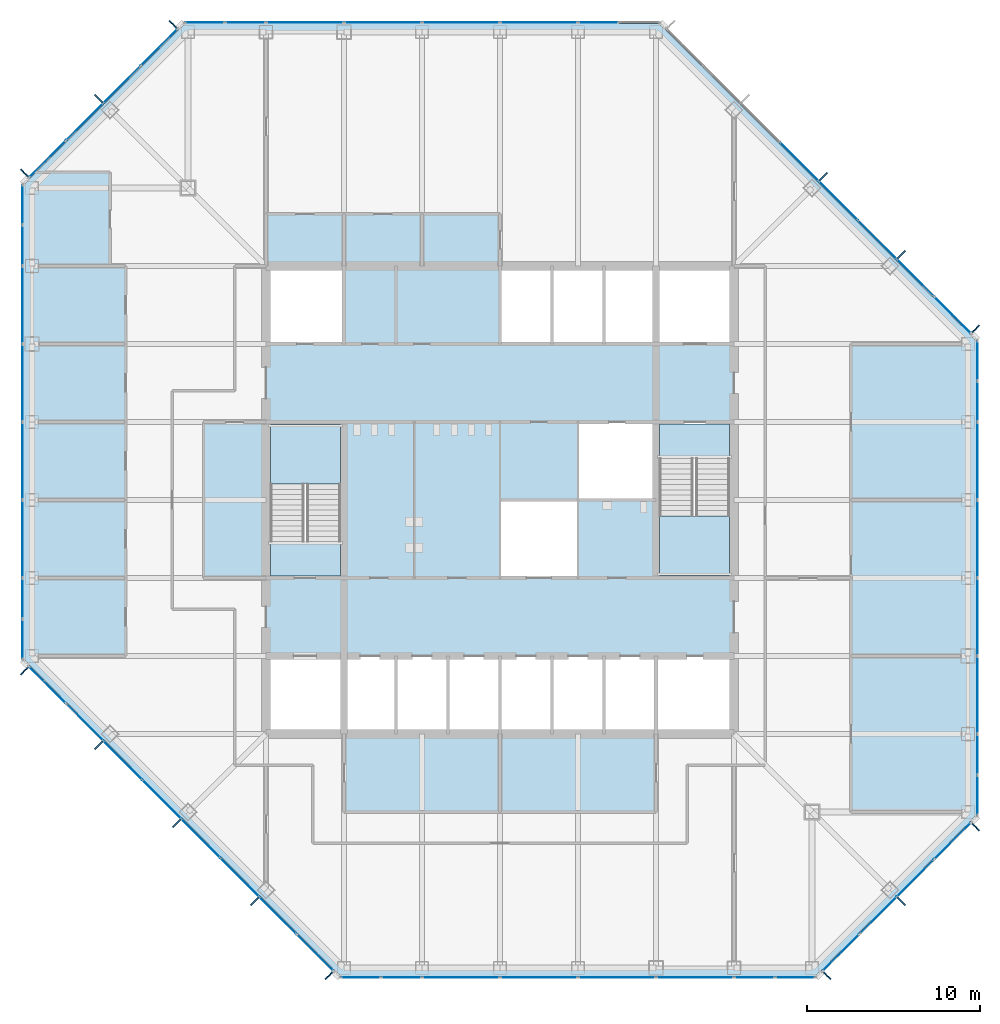
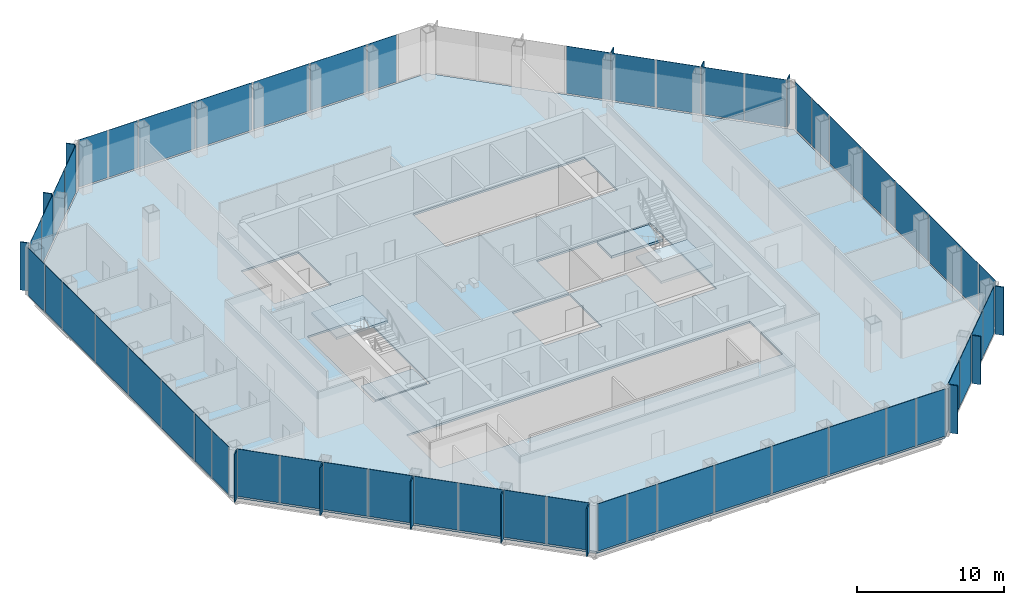
# One storey, part 7 of 13: 66 plates, 5 slabs, 10 elements without a shape of their own.
"""IFC4 building model written with IfcOpenShell, lengths in metres."""

from ifc_helpers import new_model, si_unit, direction, frame, origin, origin_2d, place, context, subcontext, project, spatial, polyline, rectangle, outline, extrude, material, layer, layer_set, type_object, element, aggregate, save


model = new_model("IFC4")

# Units and contexts
model_context = context("Model", 3, precision=1e-05, world=origin(), true_north=direction((0.0, 1.0)))
body_context = subcontext(model_context, "Body", "Model", "MODEL_VIEW")
ifc_project = project(units=[si_unit("LENGTHUNIT", "METRE"), si_unit("AREAUNIT", "SQUARE_METRE"), si_unit("VOLUMEUNIT", "CUBIC_METRE"), si_unit("PLANEANGLEUNIT", "RADIAN"), si_unit("MASSUNIT", "GRAM", prefix="KILO")], contexts=[model_context])

# Site, building, storey
site_placement = place(None, origin())
site = spatial("IfcSite", under=ifc_project, at=site_placement, CompositionType="ELEMENT")
building_placement = place(site_placement, origin())
building = spatial("IfcBuilding", under=site, at=building_placement, Name="Corais Broadcast Tower", CompositionType="ELEMENT")
storey_placement = place(building_placement, frame((0.0, 0.0, 151.60009765625)))
storey = spatial("IfcBuildingStorey", under=building, at=storey_placement, Name="L34", CompositionType="ELEMENT", Elevation=151.60009765625)

# Slab
ifc_material_1 = material(Name="Concrete C30/37", Category="concrete")
ifc_layer_1 = layer(ifc_material_1, 0.159912109375)
ifc_layer_set_1 = layer_set([ifc_layer_1], Name="Concrete C30/37")
slab_type_1 = type_object("IfcSlabType", Name="Composite floor slab 160", PredefinedType="FLOOR", material=ifc_layer_set_1)
slab_1_placement = place(storey_placement, frame((0.0, 0.0, -0.16015625)))
element("IfcSlab", 1, at=slab_1_placement, inside=storey, type_object=slab_type_1, Name="S160 floor slab L34", PredefinedType="FLOOR", context=body_context, shape_type="SweptSolid", body=[
    extrude(outline(polyline([(17.80126953125, -0.47998046875), (-0.47998046875, 17.80126953125), (-0.47998046875, 45.19873046875), (8.80126953125, 54.47998046875), (36.19873046875, 54.47998046875), (54.47998046875, 36.19873046875), (54.47998046875, 8.80126953125), (45.19873046875, -0.47998046875), (17.80126953125, -0.47998046875)]), holes=[polyline([(13.5, 18.0), (40.5, 18.0), (40.5, 13.5), (13.5, 13.5), (13.5, 18.0)]), polyline([(18.0, 22.5), (13.5, 22.5), (13.5, 31.5), (18.0, 31.5), (18.0, 22.5)]), polyline([(18.0, 36.0), (13.5, 36.0), (13.5, 40.5), (18.0, 40.5), (18.0, 36.0)]), polyline([(31.5, 22.5), (27.0, 22.5), (27.0, 27.0), (31.4951171875, 27.0), (31.4951171875, 27.0048828125), (31.5, 27.0048828125), (31.5, 31.5), (40.5, 31.5), (40.5, 22.5), (36.0, 22.5), (36.0, 27.0), (31.5048828125, 27.0), (31.5048828125, 26.9951171875), (31.5, 26.9951171875), (31.5, 22.5)]), polyline([(27.0, 40.5), (40.5, 40.5), (40.5, 36.0), (27.0, 36.0), (27.0, 40.5)])]), origin(), (0.0, 0.0, 1.0), 0.16015625),
])

# Curtain wall, plates
ifc_material_2 = material(Name="Aluminium and glass", Category="aluminium")
curtain_wall_type = type_object("IfcCurtainWallType", Name="Unitised fritted curtain wall CW2", PredefinedType="NOTDEFINED", material=ifc_material_2)
curtain_wall_1_placement = place(storey_placement, origin())
curtain_wall_1 = element("IfcCurtainWall", 2, at=curtain_wall_1_placement, inside=storey, type_object=curtain_wall_type, Name="CW2 curtain wall L34 1", PredefinedType="NOTDEFINED")
ifc_material_3 = material(Name="Ceramic-fritted laminated glass", Category="glass")
ifc_layer_2 = layer(ifc_material_3, 0.028076171875)
ifc_layer_set_2 = layer_set([ifc_layer_2], Name="Ceramic-fritted laminated glass")
plate_type_1 = type_object("IfcPlateType", Name="Fritted glass panel CW2", PredefinedType="CURTAIN_PANEL", material=ifc_layer_set_2)
plate_1_placement = place(storey_placement, frame((16.330322265625, 0.891845703125, 0.06494140625), z_axis=(0.0, 0.0, 1.0), x_axis=(-0.707106781187, 0.707106781187, 0.0)))
plate_1 = element("IfcPlate", 3, at=plate_1_placement, type_object=plate_type_1, Name="CW2 panel 1", PredefinedType="CURTAIN_PANEL", context=body_context, shape_type="SweptSolid", body=[
    extrude(rectangle(XDim=2.9482421875, YDim=0.028076171875, at=origin_2d()), origin(), (0.0, 0.0, 1.0), 3.93505859375),
])
plate_2_placement = place(storey_placement, frame((11.986083984375, 5.236083984375, 0.06494140625), z_axis=(0.0, 0.0, 1.0), x_axis=(-0.707106781187, 0.707106781187, 0.0)))
plate_2 = element("IfcPlate", 4, at=plate_2_placement, type_object=plate_type_1, Name="CW2 panel 3", PredefinedType="CURTAIN_PANEL", context=body_context, shape_type="SweptSolid", body=[
    extrude(rectangle(XDim=3.116943359375, YDim=0.028076171875, at=origin_2d()), origin(), (0.0, 0.0, 1.0), 3.93505859375),
])
plate_3_placement = place(storey_placement, frame((7.486083984375, 9.736083984375, 0.06494140625), z_axis=(0.0, 0.0, 1.0), x_axis=(-0.707106781187, 0.707106781187, 0.0)))
plate_3 = element("IfcPlate", 5, at=plate_3_placement, type_object=plate_type_1, Name="CW2 panel 5", PredefinedType="CURTAIN_PANEL", context=body_context, shape_type="SweptSolid", body=[
    extrude(rectangle(XDim=3.116943359375, YDim=0.028076171875, at=origin_2d()), origin(), (0.0, 0.0, 1.0), 3.93505859375),
])
plate_4_placement = place(storey_placement, frame((3.0341796875, 14.18798828125, 0.06494140625), z_axis=(0.0, 0.0, 1.0), x_axis=(-0.707106781187, 0.707106781187, 0.0)))
plate_4 = element("IfcPlate", 6, at=plate_4_placement, type_object=plate_type_1, Name="CW2 panel 7", PredefinedType="CURTAIN_PANEL", context=body_context, shape_type="SweptSolid", body=[
    extrude(rectangle(XDim=2.98095703125, YDim=0.028076171875, at=origin_2d()), origin(), (0.0, 0.0, 1.0), 3.93505859375),
])

curtain_wall_2_placement = place(storey_placement, origin())
curtain_wall_2 = element("IfcCurtainWall", 7, at=curtain_wall_2_placement, inside=storey, type_object=curtain_wall_type, Name="CW2 curtain wall L34 2", PredefinedType="NOTDEFINED")
plate_5_placement = place(storey_placement, frame((-0.550048828125, 18.970458984375, 0.06494140625), z_axis=(0.0, 0.0, 1.0), x_axis=(0.0, 1.0, 0.0)))
plate_5 = element("IfcPlate", 8, at=plate_5_placement, type_object=plate_type_1, Name="CW2 panel 1", PredefinedType="CURTAIN_PANEL", context=body_context, shape_type="SweptSolid", body=[
    extrude(rectangle(XDim=2.266357421875, YDim=0.028076171875, at=origin_2d()), origin(), (0.0, 0.0, 1.0), 3.93505859375),
])
plate_6_placement = place(storey_placement, frame((-0.550048828125, 24.75, 0.06494140625), z_axis=(0.0, 0.0, 1.0), x_axis=(0.0, 1.0, 0.0)))
plate_6 = element("IfcPlate", 9, at=plate_6_placement, type_object=plate_type_1, Name="CW2 panel 3", PredefinedType="CURTAIN_PANEL", context=body_context, shape_type="SweptSolid", body=[
    extrude(rectangle(XDim=4.43505859375, YDim=0.028076171875, at=origin_2d()), origin(), (0.0, 0.0, 1.0), 3.93505859375),
])
plate_7_placement = place(storey_placement, frame((-0.550048828125, 33.75, 0.06494140625), z_axis=(0.0, 0.0, 1.0), x_axis=(0.0, 1.0, 0.0)))
plate_7 = element("IfcPlate", 10, at=plate_7_placement, type_object=plate_type_1, Name="CW2 panel 5", PredefinedType="CURTAIN_PANEL", context=body_context, shape_type="SweptSolid", body=[
    extrude(rectangle(XDim=4.43505859375, YDim=0.028076171875, at=origin_2d()), origin(), (0.0, 0.0, 1.0), 3.93505859375),
])
plate_8_placement = place(storey_placement, frame((-0.550048828125, 41.681884765625, 0.06494140625), z_axis=(0.0, 0.0, 1.0), x_axis=(0.0, 1.0, 0.0)))
plate_8 = element("IfcPlate", 11, at=plate_8_placement, type_object=plate_type_1, Name="CW2 panel 7", PredefinedType="CURTAIN_PANEL", context=body_context, shape_type="SweptSolid", body=[
    extrude(rectangle(XDim=2.298828125, YDim=0.028076171875, at=origin_2d()), origin(), (0.0, 0.0, 1.0), 3.93505859375),
])

curtain_wall_3_placement = place(storey_placement, origin())
curtain_wall_3 = element("IfcCurtainWall", 12, at=curtain_wall_3_placement, inside=storey, type_object=curtain_wall_type, Name="CW2 curtain wall L34 3", PredefinedType="NOTDEFINED")
plate_9_placement = place(storey_placement, frame((0.891845703125, 46.669677734375, 0.06494140625), z_axis=(0.0, 0.0, 1.0), x_axis=(0.707106781187, 0.707106781187, 0.0)))
plate_9 = element("IfcPlate", 13, at=plate_9_placement, type_object=plate_type_1, Name="CW2 panel 1", PredefinedType="CURTAIN_PANEL", context=body_context, shape_type="SweptSolid", body=[
    extrude(rectangle(XDim=2.9482421875, YDim=0.028076171875, at=origin_2d()), origin(), (0.0, 0.0, 1.0), 3.93505859375),
])
plate_10_placement = place(storey_placement, frame((5.18798828125, 50.9658203125, 0.06494140625), z_axis=(0.0, 0.0, 1.0), x_axis=(0.707106781187, 0.707106781187, 0.0)))
plate_10 = element("IfcPlate", 14, at=plate_10_placement, type_object=plate_type_1, Name="CW2 panel 3", PredefinedType="CURTAIN_PANEL", context=body_context, shape_type="SweptSolid", body=[
    extrude(rectangle(XDim=2.98095703125, YDim=0.028076171875, at=origin_2d()), origin(), (0.0, 0.0, 1.0), 3.93505859375),
])

curtain_wall_4_placement = place(storey_placement, origin())
curtain_wall_4 = element("IfcCurtainWall", 15, at=curtain_wall_4_placement, inside=storey, type_object=curtain_wall_type, Name="CW2 curtain wall L34 4", PredefinedType="NOTDEFINED")
plate_11_placement = place(storey_placement, frame((9.970458984375, 54.550048828125, 0.06494140625), z_axis=(0.0, 0.0, 1.0), x_axis=(1.0, 0.0, 0.0)))
plate_11 = element("IfcPlate", 16, at=plate_11_placement, type_object=plate_type_1, Name="CW2 panel 1", PredefinedType="CURTAIN_PANEL", context=body_context, shape_type="SweptSolid", body=[
    extrude(rectangle(XDim=2.266357421875, YDim=0.028076171875, at=origin_2d()), origin(), (0.0, 0.0, 1.0), 3.93505859375),
])
plate_12_placement = place(storey_placement, frame((15.75, 54.550048828125, 0.06494140625), z_axis=(0.0, 0.0, 1.0), x_axis=(1.0, 0.0, 0.0)))
plate_12 = element("IfcPlate", 17, at=plate_12_placement, type_object=plate_type_1, Name="CW2 panel 3", PredefinedType="CURTAIN_PANEL", context=body_context, shape_type="SweptSolid", body=[
    extrude(rectangle(XDim=4.43505859375, YDim=0.028076171875, at=origin_2d()), origin(), (0.0, 0.0, 1.0), 3.93505859375),
])
plate_13_placement = place(storey_placement, frame((24.75, 54.550048828125, 0.06494140625), z_axis=(0.0, 0.0, 1.0), x_axis=(1.0, 0.0, 0.0)))
plate_13 = element("IfcPlate", 18, at=plate_13_placement, type_object=plate_type_1, Name="CW2 panel 5", PredefinedType="CURTAIN_PANEL", context=body_context, shape_type="SweptSolid", body=[
    extrude(rectangle(XDim=4.43505859375, YDim=0.028076171875, at=origin_2d()), origin(), (0.0, 0.0, 1.0), 3.93505859375),
])
plate_14_placement = place(storey_placement, frame((32.681884765625, 54.550048828125, 0.06494140625), z_axis=(0.0, 0.0, 1.0), x_axis=(1.0, 0.0, 0.0)))
plate_14 = element("IfcPlate", 19, at=plate_14_placement, type_object=plate_type_1, Name="CW2 panel 7", PredefinedType="CURTAIN_PANEL", context=body_context, shape_type="SweptSolid", body=[
    extrude(rectangle(XDim=2.298828125, YDim=0.028076171875, at=origin_2d()), origin(), (0.0, 0.0, 1.0), 3.93505859375),
])

curtain_wall_5_placement = place(storey_placement, origin())
curtain_wall_5 = element("IfcCurtainWall", 20, at=curtain_wall_5_placement, inside=storey, type_object=curtain_wall_type, Name="CW2 curtain wall L34 5", PredefinedType="NOTDEFINED")
plate_15_placement = place(storey_placement, frame((46.513916015625, 44.263916015625, 0.06494140625), z_axis=(0.0, 0.0, 1.0), x_axis=(0.707106781187, -0.707106781187, 0.0)))
plate_15 = element("IfcPlate", 21, at=plate_15_placement, type_object=plate_type_1, Name="CW2 panel 5", PredefinedType="CURTAIN_PANEL", context=body_context, shape_type="SweptSolid", body=[
    extrude(rectangle(XDim=3.116943359375, YDim=0.028076171875, at=origin_2d()), origin(), (0.0, 0.0, 1.0), 3.93505859375),
])
plate_16_placement = place(storey_placement, frame((50.9658203125, 39.81201171875, 0.06494140625), z_axis=(0.0, 0.0, 1.0), x_axis=(0.707106781187, -0.707106781187, 0.0)))
plate_16 = element("IfcPlate", 22, at=plate_16_placement, type_object=plate_type_1, Name="CW2 panel 7", PredefinedType="CURTAIN_PANEL", context=body_context, shape_type="SweptSolid", body=[
    extrude(rectangle(XDim=2.98095703125, YDim=0.028076171875, at=origin_2d()), origin(), (0.0, 0.0, 1.0), 3.93505859375),
])

curtain_wall_6_placement = place(storey_placement, origin())
curtain_wall_6 = element("IfcCurtainWall", 23, at=curtain_wall_6_placement, inside=storey, type_object=curtain_wall_type, Name="CW2 curtain wall L34 6", PredefinedType="NOTDEFINED")
plate_17_placement = place(storey_placement, frame((54.550048828125, 35.029541015625, 0.06494140625), z_axis=(0.0, 0.0, 1.0), x_axis=(0.0, -1.0, 0.0)))
plate_17 = element("IfcPlate", 24, at=plate_17_placement, type_object=plate_type_1, Name="CW2 panel 1", PredefinedType="CURTAIN_PANEL", context=body_context, shape_type="SweptSolid", body=[
    extrude(rectangle(XDim=2.266357421875, YDim=0.028076171875, at=origin_2d()), origin(), (0.0, 0.0, 1.0), 3.93505859375),
])
plate_18_placement = place(storey_placement, frame((54.550048828125, 29.25, 0.06494140625), z_axis=(0.0, 0.0, 1.0), x_axis=(0.0, -1.0, 0.0)))
plate_18 = element("IfcPlate", 25, at=plate_18_placement, type_object=plate_type_1, Name="CW2 panel 3", PredefinedType="CURTAIN_PANEL", context=body_context, shape_type="SweptSolid", body=[
    extrude(rectangle(XDim=4.43505859375, YDim=0.028076171875, at=origin_2d()), origin(), (0.0, 0.0, 1.0), 3.93505859375),
])
plate_19_placement = place(storey_placement, frame((54.550048828125, 20.25, 0.06494140625), z_axis=(0.0, 0.0, 1.0), x_axis=(0.0, -1.0, 0.0)))
plate_19 = element("IfcPlate", 26, at=plate_19_placement, type_object=plate_type_1, Name="CW2 panel 5", PredefinedType="CURTAIN_PANEL", context=body_context, shape_type="SweptSolid", body=[
    extrude(rectangle(XDim=4.43505859375, YDim=0.028076171875, at=origin_2d()), origin(), (0.0, 0.0, 1.0), 3.93505859375),
])
plate_20_placement = place(storey_placement, frame((54.550048828125, 12.318115234375, 0.06494140625), z_axis=(0.0, 0.0, 1.0), x_axis=(0.0, -1.0, 0.0)))
plate_20 = element("IfcPlate", 27, at=plate_20_placement, type_object=plate_type_1, Name="CW2 panel 7", PredefinedType="CURTAIN_PANEL", context=body_context, shape_type="SweptSolid", body=[
    extrude(rectangle(XDim=2.298828125, YDim=0.028076171875, at=origin_2d()), origin(), (0.0, 0.0, 1.0), 3.93505859375),
])

curtain_wall_7_placement = place(storey_placement, origin())
curtain_wall_7 = element("IfcCurtainWall", 28, at=curtain_wall_7_placement, inside=storey, type_object=curtain_wall_type, Name="CW2 curtain wall L34 7", PredefinedType="NOTDEFINED")
plate_21_placement = place(storey_placement, frame((53.108154296875, 7.330322265625, 0.06494140625), z_axis=(0.0, 0.0, 1.0), x_axis=(-0.707106781187, -0.707106781187, 0.0)))
plate_21 = element("IfcPlate", 29, at=plate_21_placement, type_object=plate_type_1, Name="CW2 panel 1", PredefinedType="CURTAIN_PANEL", context=body_context, shape_type="SweptSolid", body=[
    extrude(rectangle(XDim=2.9482421875, YDim=0.028076171875, at=origin_2d()), origin(), (0.0, 0.0, 1.0), 3.93505859375),
])
plate_22_placement = place(storey_placement, frame((48.81201171875, 3.0341796875, 0.06494140625), z_axis=(0.0, 0.0, 1.0), x_axis=(-0.707106781187, -0.707106781187, 0.0)))
plate_22 = element("IfcPlate", 30, at=plate_22_placement, type_object=plate_type_1, Name="CW2 panel 3", PredefinedType="CURTAIN_PANEL", context=body_context, shape_type="SweptSolid", body=[
    extrude(rectangle(XDim=2.98095703125, YDim=0.028076171875, at=origin_2d()), origin(), (0.0, 0.0, 1.0), 3.93505859375),
])

curtain_wall_8_placement = place(storey_placement, origin())
curtain_wall_8 = element("IfcCurtainWall", 31, at=curtain_wall_8_placement, inside=storey, type_object=curtain_wall_type, Name="CW2 curtain wall L34 8", PredefinedType="NOTDEFINED")
plate_23_placement = place(storey_placement, frame((44.029541015625, -0.550048828125, 0.06494140625), z_axis=(0.0, 0.0, 1.0), x_axis=(-1.0, 0.0, 0.0)))
plate_23 = element("IfcPlate", 32, at=plate_23_placement, type_object=plate_type_1, Name="CW2 panel 1", PredefinedType="CURTAIN_PANEL", context=body_context, shape_type="SweptSolid", body=[
    extrude(rectangle(XDim=2.266357421875, YDim=0.028076171875, at=origin_2d()), origin(), (0.0, 0.0, 1.0), 3.93505859375),
])
plate_24_placement = place(storey_placement, frame((38.25, -0.550048828125, 0.06494140625), z_axis=(0.0, 0.0, 1.0), x_axis=(-1.0, 0.0, 0.0)))
plate_24 = element("IfcPlate", 33, at=plate_24_placement, type_object=plate_type_1, Name="CW2 panel 3", PredefinedType="CURTAIN_PANEL", context=body_context, shape_type="SweptSolid", body=[
    extrude(rectangle(XDim=4.43505859375, YDim=0.028076171875, at=origin_2d()), origin(), (0.0, 0.0, 1.0), 3.93505859375),
])
plate_25_placement = place(storey_placement, frame((29.25, -0.550048828125, 0.06494140625), z_axis=(0.0, 0.0, 1.0), x_axis=(-1.0, 0.0, 0.0)))
plate_25 = element("IfcPlate", 34, at=plate_25_placement, type_object=plate_type_1, Name="CW2 panel 5", PredefinedType="CURTAIN_PANEL", context=body_context, shape_type="SweptSolid", body=[
    extrude(rectangle(XDim=4.43505859375, YDim=0.028076171875, at=origin_2d()), origin(), (0.0, 0.0, 1.0), 3.93505859375),
])
plate_26_placement = place(storey_placement, frame((21.318115234375, -0.550048828125, 0.06494140625), z_axis=(0.0, 0.0, 1.0), x_axis=(-1.0, 0.0, 0.0)))
plate_26 = element("IfcPlate", 35, at=plate_26_placement, type_object=plate_type_1, Name="CW2 panel 7", PredefinedType="CURTAIN_PANEL", context=body_context, shape_type="SweptSolid", body=[
    extrude(rectangle(XDim=2.298828125, YDim=0.028076171875, at=origin_2d()), origin(), (0.0, 0.0, 1.0), 3.93505859375),
])

# Plate
ifc_material_4 = material(Name="Clear laminated glass", Category="glass")
ifc_layer_3 = layer(ifc_material_4, 0.031982421875)
ifc_layer_set_3 = layer_set([ifc_layer_3], Name="Clear laminated glass")
plate_type_2 = type_object("IfcPlateType", Name="Operable glass panel CW2", PredefinedType="CURTAIN_PANEL", material=ifc_layer_set_3)
plate_27_placement = place(storey_placement, frame((14.18798828125, 3.0341796875, 0.06494140625), z_axis=(0.0, 0.0, 1.0), x_axis=(-0.707106781187, 0.707106781187, 0.0)))
plate_27 = element("IfcPlate", 36, at=plate_27_placement, type_object=plate_type_2, Name="CW2 operable panel 2", PredefinedType="CURTAIN_PANEL", context=body_context, shape_type="SweptSolid", body=[
    extrude(rectangle(XDim=2.98095703125, YDim=0.031982421875, at=origin_2d()), origin(), (0.0, 0.0, 1.0), 3.93505859375),
])

plate_28_placement = place(storey_placement, frame((9.736083984375, 7.486083984375, 0.06494140625), z_axis=(0.0, 0.0, 1.0), x_axis=(-0.707106781187, 0.707106781187, 0.0)))
plate_28 = element("IfcPlate", 37, at=plate_28_placement, type_object=plate_type_2, Name="CW2 operable panel 4", PredefinedType="CURTAIN_PANEL", context=body_context, shape_type="SweptSolid", body=[
    extrude(rectangle(XDim=3.116943359375, YDim=0.031982421875, at=origin_2d()), origin(), (0.0, 0.0, 1.0), 3.93505859375),
])

plate_29_placement = place(storey_placement, frame((5.236083984375, 11.986083984375, 0.06494140625), z_axis=(0.0, 0.0, 1.0), x_axis=(-0.707106781187, 0.707106781187, 0.0)))
plate_29 = element("IfcPlate", 38, at=plate_29_placement, type_object=plate_type_2, Name="CW2 operable panel 6", PredefinedType="CURTAIN_PANEL", context=body_context, shape_type="SweptSolid", body=[
    extrude(rectangle(XDim=3.116943359375, YDim=0.031982421875, at=origin_2d()), origin(), (0.0, 0.0, 1.0), 3.93505859375),
])

plate_30_placement = place(storey_placement, frame((0.89208984375, 16.330322265625, 0.06494140625), z_axis=(0.0, 0.0, 1.0), x_axis=(-0.707106781187, 0.707106781187, 0.0)))
plate_30 = element("IfcPlate", 39, at=plate_30_placement, type_object=plate_type_2, Name="CW2 operable panel 8", PredefinedType="CURTAIN_PANEL", context=body_context, shape_type="SweptSolid", body=[
    extrude(rectangle(XDim=2.948486328125, YDim=0.031982421875, at=origin_2d()), origin(), (0.0, 0.0, 1.0), 3.93505859375),
])

aggregate(curtain_wall_1, [plate_1, plate_27, plate_2, plate_28, plate_3, plate_29, plate_4, plate_30])

plate_31_placement = place(storey_placement, frame((-0.550048828125, 21.318115234375, 0.06494140625), z_axis=(0.0, 0.0, 1.0), x_axis=(0.0, 1.0, 0.0)))
plate_31 = element("IfcPlate", 40, at=plate_31_placement, type_object=plate_type_2, Name="CW2 operable panel 2", PredefinedType="CURTAIN_PANEL", context=body_context, shape_type="SweptSolid", body=[
    extrude(rectangle(XDim=2.298828125, YDim=0.031982421875, at=origin_2d()), origin(), (0.0, 0.0, 1.0), 3.93505859375),
])

plate_32_placement = place(storey_placement, frame((-0.550048828125, 29.25, 0.06494140625), z_axis=(0.0, 0.0, 1.0), x_axis=(0.0, 1.0, 0.0)))
plate_32 = element("IfcPlate", 41, at=plate_32_placement, type_object=plate_type_2, Name="CW2 operable panel 4", PredefinedType="CURTAIN_PANEL", context=body_context, shape_type="SweptSolid", body=[
    extrude(rectangle(XDim=4.43505859375, YDim=0.031982421875, at=origin_2d()), origin(), (0.0, 0.0, 1.0), 3.93505859375),
])

plate_33_placement = place(storey_placement, frame((-0.550048828125, 38.25, 0.06494140625), z_axis=(0.0, 0.0, 1.0), x_axis=(0.0, 1.0, 0.0)))
plate_33 = element("IfcPlate", 42, at=plate_33_placement, type_object=plate_type_2, Name="CW2 operable panel 6", PredefinedType="CURTAIN_PANEL", context=body_context, shape_type="SweptSolid", body=[
    extrude(rectangle(XDim=4.43505859375, YDim=0.031982421875, at=origin_2d()), origin(), (0.0, 0.0, 1.0), 3.93505859375),
])

plate_34_placement = place(storey_placement, frame((-0.550048828125, 44.029541015625, 0.06494140625), z_axis=(0.0, 0.0, 1.0), x_axis=(0.0, 1.0, 0.0)))
plate_34 = element("IfcPlate", 43, at=plate_34_placement, type_object=plate_type_2, Name="CW2 operable panel 8", PredefinedType="CURTAIN_PANEL", context=body_context, shape_type="SweptSolid", body=[
    extrude(rectangle(XDim=2.266357421875, YDim=0.031982421875, at=origin_2d()), origin(), (0.0, 0.0, 1.0), 3.93505859375),
])

aggregate(curtain_wall_2, [plate_5, plate_31, plate_6, plate_32, plate_7, plate_33, plate_8, plate_34])

plate_35_placement = place(storey_placement, frame((3.0341796875, 48.81201171875, 0.06494140625), z_axis=(0.0, 0.0, 1.0), x_axis=(0.707106781187, 0.707106781187, 0.0)))
plate_35 = element("IfcPlate", 44, at=plate_35_placement, type_object=plate_type_2, Name="CW2 operable panel 2", PredefinedType="CURTAIN_PANEL", context=body_context, shape_type="SweptSolid", body=[
    extrude(rectangle(XDim=2.98095703125, YDim=0.031982421875, at=origin_2d()), origin(), (0.0, 0.0, 1.0), 3.93505859375),
])

plate_36_placement = place(storey_placement, frame((7.330322265625, 53.10791015625, 0.06494140625), z_axis=(0.0, 0.0, 1.0), x_axis=(0.707106781187, 0.707106781187, 0.0)))
plate_36 = element("IfcPlate", 45, at=plate_36_placement, type_object=plate_type_2, Name="CW2 operable panel 4", PredefinedType="CURTAIN_PANEL", context=body_context, shape_type="SweptSolid", body=[
    extrude(rectangle(XDim=2.948486328125, YDim=0.031982421875, at=origin_2d()), origin(), (0.0, 0.0, 1.0), 3.93505859375),
])

aggregate(curtain_wall_3, [plate_9, plate_35, plate_10, plate_36])

plate_37_placement = place(storey_placement, frame((12.318115234375, 54.550048828125, 0.06494140625), z_axis=(0.0, 0.0, 1.0), x_axis=(1.0, 0.0, 0.0)))
plate_37 = element("IfcPlate", 46, at=plate_37_placement, type_object=plate_type_2, Name="CW2 operable panel 2", PredefinedType="CURTAIN_PANEL", context=body_context, shape_type="SweptSolid", body=[
    extrude(rectangle(XDim=2.298828125, YDim=0.031982421875, at=origin_2d()), origin(), (0.0, 0.0, 1.0), 3.93505859375),
])

plate_38_placement = place(storey_placement, frame((20.25, 54.550048828125, 0.06494140625), z_axis=(0.0, 0.0, 1.0), x_axis=(1.0, 0.0, 0.0)))
plate_38 = element("IfcPlate", 47, at=plate_38_placement, type_object=plate_type_2, Name="CW2 operable panel 4", PredefinedType="CURTAIN_PANEL", context=body_context, shape_type="SweptSolid", body=[
    extrude(rectangle(XDim=4.43505859375, YDim=0.031982421875, at=origin_2d()), origin(), (0.0, 0.0, 1.0), 3.93505859375),
])

plate_39_placement = place(storey_placement, frame((29.25, 54.550048828125, 0.06494140625), z_axis=(0.0, 0.0, 1.0), x_axis=(1.0, 0.0, 0.0)))
plate_39 = element("IfcPlate", 48, at=plate_39_placement, type_object=plate_type_2, Name="CW2 operable panel 6", PredefinedType="CURTAIN_PANEL", context=body_context, shape_type="SweptSolid", body=[
    extrude(rectangle(XDim=4.43505859375, YDim=0.031982421875, at=origin_2d()), origin(), (0.0, 0.0, 1.0), 3.93505859375),
])

aggregate(curtain_wall_4, [plate_11, plate_37, plate_12, plate_38, plate_13, plate_39, plate_14])

plate_40_placement = place(storey_placement, frame((44.263916015625, 46.513916015625, 0.06494140625), z_axis=(0.0, 0.0, 1.0), x_axis=(0.707106781187, -0.707106781187, 0.0)))
plate_40 = element("IfcPlate", 49, at=plate_40_placement, type_object=plate_type_2, Name="CW2 operable panel 4", PredefinedType="CURTAIN_PANEL", context=body_context, shape_type="SweptSolid", body=[
    extrude(rectangle(XDim=3.116943359375, YDim=0.031982421875, at=origin_2d()), origin(), (0.0, 0.0, 1.0), 3.93505859375),
])

plate_41_placement = place(storey_placement, frame((48.763916015625, 42.013916015625, 0.06494140625), z_axis=(0.0, 0.0, 1.0), x_axis=(0.707106781187, -0.707106781187, 0.0)))
plate_41 = element("IfcPlate", 50, at=plate_41_placement, type_object=plate_type_2, Name="CW2 operable panel 6", PredefinedType="CURTAIN_PANEL", context=body_context, shape_type="SweptSolid", body=[
    extrude(rectangle(XDim=3.116943359375, YDim=0.031982421875, at=origin_2d()), origin(), (0.0, 0.0, 1.0), 3.93505859375),
])

plate_42_placement = place(storey_placement, frame((53.10791015625, 37.669677734375, 0.06494140625), z_axis=(0.0, 0.0, 1.0), x_axis=(0.707106781187, -0.707106781187, 0.0)))
plate_42 = element("IfcPlate", 51, at=plate_42_placement, type_object=plate_type_2, Name="CW2 operable panel 8", PredefinedType="CURTAIN_PANEL", context=body_context, shape_type="SweptSolid", body=[
    extrude(rectangle(XDim=2.948486328125, YDim=0.031982421875, at=origin_2d()), origin(), (0.0, 0.0, 1.0), 3.93505859375),
])

aggregate(curtain_wall_5, [plate_40, plate_15, plate_41, plate_16, plate_42])

plate_43_placement = place(storey_placement, frame((54.550048828125, 32.681884765625, 0.06494140625), z_axis=(0.0, 0.0, 1.0), x_axis=(0.0, -1.0, 0.0)))
plate_43 = element("IfcPlate", 52, at=plate_43_placement, type_object=plate_type_2, Name="CW2 operable panel 2", PredefinedType="CURTAIN_PANEL", context=body_context, shape_type="SweptSolid", body=[
    extrude(rectangle(XDim=2.298828125, YDim=0.031982421875, at=origin_2d()), origin(), (0.0, 0.0, 1.0), 3.93505859375),
])

plate_44_placement = place(storey_placement, frame((54.550048828125, 24.75, 0.06494140625), z_axis=(0.0, 0.0, 1.0), x_axis=(0.0, -1.0, 0.0)))
plate_44 = element("IfcPlate", 53, at=plate_44_placement, type_object=plate_type_2, Name="CW2 operable panel 4", PredefinedType="CURTAIN_PANEL", context=body_context, shape_type="SweptSolid", body=[
    extrude(rectangle(XDim=4.43505859375, YDim=0.031982421875, at=origin_2d()), origin(), (0.0, 0.0, 1.0), 3.93505859375),
])

plate_45_placement = place(storey_placement, frame((54.550048828125, 15.75, 0.06494140625), z_axis=(0.0, 0.0, 1.0), x_axis=(0.0, -1.0, 0.0)))
plate_45 = element("IfcPlate", 54, at=plate_45_placement, type_object=plate_type_2, Name="CW2 operable panel 6", PredefinedType="CURTAIN_PANEL", context=body_context, shape_type="SweptSolid", body=[
    extrude(rectangle(XDim=4.43505859375, YDim=0.031982421875, at=origin_2d()), origin(), (0.0, 0.0, 1.0), 3.93505859375),
])

plate_46_placement = place(storey_placement, frame((54.550048828125, 9.970458984375, 0.06494140625), z_axis=(0.0, 0.0, 1.0), x_axis=(0.0, -1.0, 0.0)))
plate_46 = element("IfcPlate", 55, at=plate_46_placement, type_object=plate_type_2, Name="CW2 operable panel 8", PredefinedType="CURTAIN_PANEL", context=body_context, shape_type="SweptSolid", body=[
    extrude(rectangle(XDim=2.266357421875, YDim=0.031982421875, at=origin_2d()), origin(), (0.0, 0.0, 1.0), 3.93505859375),
])

aggregate(curtain_wall_6, [plate_17, plate_43, plate_18, plate_44, plate_19, plate_45, plate_20, plate_46])

plate_47_placement = place(storey_placement, frame((50.9658203125, 5.18798828125, 0.06494140625), z_axis=(0.0, 0.0, 1.0), x_axis=(-0.707106781187, -0.707106781187, 0.0)))
plate_47 = element("IfcPlate", 56, at=plate_47_placement, type_object=plate_type_2, Name="CW2 operable panel 2", PredefinedType="CURTAIN_PANEL", context=body_context, shape_type="SweptSolid", body=[
    extrude(rectangle(XDim=2.98095703125, YDim=0.031982421875, at=origin_2d()), origin(), (0.0, 0.0, 1.0), 3.93505859375),
])

plate_48_placement = place(storey_placement, frame((46.669677734375, 0.89208984375, 0.06494140625), z_axis=(0.0, 0.0, 1.0), x_axis=(-0.707106781187, -0.707106781187, 0.0)))
plate_48 = element("IfcPlate", 57, at=plate_48_placement, type_object=plate_type_2, Name="CW2 operable panel 4", PredefinedType="CURTAIN_PANEL", context=body_context, shape_type="SweptSolid", body=[
    extrude(rectangle(XDim=2.948486328125, YDim=0.031982421875, at=origin_2d()), origin(), (0.0, 0.0, 1.0), 3.93505859375),
])

aggregate(curtain_wall_7, [plate_21, plate_47, plate_22, plate_48])

plate_49_placement = place(storey_placement, frame((41.681884765625, -0.550048828125, 0.06494140625), z_axis=(0.0, 0.0, 1.0), x_axis=(-1.0, 0.0, 0.0)))
plate_49 = element("IfcPlate", 58, at=plate_49_placement, type_object=plate_type_2, Name="CW2 operable panel 2", PredefinedType="CURTAIN_PANEL", context=body_context, shape_type="SweptSolid", body=[
    extrude(rectangle(XDim=2.298828125, YDim=0.031982421875, at=origin_2d()), origin(), (0.0, 0.0, 1.0), 3.93505859375),
])

plate_50_placement = place(storey_placement, frame((33.75, -0.550048828125, 0.06494140625), z_axis=(0.0, 0.0, 1.0), x_axis=(-1.0, 0.0, 0.0)))
plate_50 = element("IfcPlate", 59, at=plate_50_placement, type_object=plate_type_2, Name="CW2 operable panel 4", PredefinedType="CURTAIN_PANEL", context=body_context, shape_type="SweptSolid", body=[
    extrude(rectangle(XDim=4.43505859375, YDim=0.031982421875, at=origin_2d()), origin(), (0.0, 0.0, 1.0), 3.93505859375),
])

plate_51_placement = place(storey_placement, frame((24.75, -0.550048828125, 0.06494140625), z_axis=(0.0, 0.0, 1.0), x_axis=(-1.0, 0.0, 0.0)))
plate_51 = element("IfcPlate", 60, at=plate_51_placement, type_object=plate_type_2, Name="CW2 operable panel 6", PredefinedType="CURTAIN_PANEL", context=body_context, shape_type="SweptSolid", body=[
    extrude(rectangle(XDim=4.43505859375, YDim=0.031982421875, at=origin_2d()), origin(), (0.0, 0.0, 1.0), 3.93505859375),
])

plate_52_placement = place(storey_placement, frame((18.970458984375, -0.550048828125, 0.06494140625), z_axis=(0.0, 0.0, 1.0), x_axis=(-1.0, 0.0, 0.0)))
plate_52 = element("IfcPlate", 61, at=plate_52_placement, type_object=plate_type_2, Name="CW2 operable panel 8", PredefinedType="CURTAIN_PANEL", context=body_context, shape_type="SweptSolid", body=[
    extrude(rectangle(XDim=2.266357421875, YDim=0.031982421875, at=origin_2d()), origin(), (0.0, 0.0, 1.0), 3.93505859375),
])

aggregate(curtain_wall_8, [plate_23, plate_49, plate_24, plate_50, plate_25, plate_51, plate_26, plate_52])

# Stair, slabs
ifc_material_5 = material(Name="Concrete C30/37", Category="concrete")
stair_type = type_object("IfcStairType", Name="Half-turn stair 4000", PredefinedType="HALF_TURN_STAIR", material=ifc_material_5)
stair_1_placement = place(storey_placement, origin())
stair_1 = element("IfcStair", 62, at=stair_1_placement, inside=storey, type_object=stair_type, Name="Stair A L34", PredefinedType="HALF_TURN_STAIR")
ifc_material_6 = material(Name="Concrete C30/37", Category="concrete")
ifc_layer_4 = layer(ifc_material_6, 0.199951171875)
ifc_layer_set_4 = layer_set([ifc_layer_4], Name="Concrete C30/37")
slab_type_2 = type_object("IfcSlabType", Name="Stair landing 200", PredefinedType="LANDING", material=ifc_layer_set_4)
slab_2_placement = place(storey_placement, frame((0.0, 0.0, -0.2001953125)))
slab_2 = element("IfcSlab", 63, at=slab_2_placement, type_object=slab_type_2, Name="STA landing 1", PredefinedType="LANDING", context=body_context, shape_type="SweptSolid", body=[
    extrude(outline(polyline([(13.75, 22.625), (17.800048828125, 22.625), (17.800048828125, 24.60009765625), (13.75, 24.60009765625), (13.75, 22.625)])), origin(), (0.0, 0.0, 1.0), 0.2001953125),
])
slab_3_placement = place(storey_placement, frame((0.0, 0.0, 1.7998046875)))
slab_3 = element("IfcSlab", 64, at=slab_3_placement, type_object=slab_type_2, Name="STA landing 2", PredefinedType="LANDING", context=body_context, shape_type="SweptSolid", body=[
    extrude(outline(polyline([(13.75, 27.922119140625), (17.800048828125, 27.922119140625), (17.800048828125, 31.375), (13.75, 31.375), (13.75, 27.922119140625)])), origin(), (0.0, 0.0, 1.0), 0.2001953125),
])
aggregate(stair_1, [slab_2, slab_3])

stair_2_placement = place(storey_placement, origin())
stair_2 = element("IfcStair", 65, at=stair_2_placement, inside=storey, type_object=stair_type, Name="Stair B L34", PredefinedType="HALF_TURN_STAIR")
slab_4_placement = place(storey_placement, frame((0.0, 0.0, -0.2001953125)))
slab_4 = element("IfcSlab", 66, at=slab_4_placement, type_object=slab_type_2, Name="STB landing 1", PredefinedType="LANDING", context=body_context, shape_type="SweptSolid", body=[
    extrude(outline(polyline([(36.199951171875, 29.39990234375), (40.25, 29.39990234375), (40.25, 31.375), (36.199951171875, 31.375), (36.199951171875, 29.39990234375)])), origin(), (0.0, 0.0, 1.0), 0.2001953125),
])
slab_5_placement = place(storey_placement, frame((0.0, 0.0, 1.7998046875)))
slab_5 = element("IfcSlab", 67, at=slab_5_placement, type_object=slab_type_2, Name="STB landing 2", PredefinedType="LANDING", context=body_context, shape_type="SweptSolid", body=[
    extrude(outline(polyline([(36.199951171875, 22.625), (40.25, 22.625), (40.25, 26.077880859375), (36.199951171875, 26.077880859375), (36.199951171875, 22.625)])), origin(), (0.0, 0.0, 1.0), 0.2001953125),
])
aggregate(stair_2, [slab_4, slab_5])

# Plates
ifc_material_7 = material(Name="Granite stone cladding", Category="masonry")
ifc_layer_5 = layer(ifc_material_7, 0.080078125)
ifc_layer_set_5 = layer_set([ifc_layer_5], Name="Granite stone cladding")
plate_type_3 = type_object("IfcPlateType", Name="Stone screen fin 80x600", PredefinedType="USERDEFINED", material=ifc_layer_set_5)
for number, where, z_axis, x_axis, name in (
    (68, (17.1220703125, -0.447021484375, 0.0), (0.0, 0.0, 1.0), (-0.707106781187, 0.707106781187, 0.0), "SF1 stone screen fin L34"),
    (69, (12.83740234375, 3.83740234375, 0.0), (0.0, 0.0, 1.0), (-0.707106781187, 0.707106781187, 0.0), "SF1 stone screen fin L34"),
    (70, (8.33740234375, 8.33740234375, 0.0), (0.0, 0.0, 1.0), (-0.707106781187, 0.707106781187, 0.0), "SF1 stone screen fin L34"),
    (71, (3.83740234375, 12.83740234375, 0.0), (0.0, 0.0, 1.0), (-0.707106781187, 0.707106781187, 0.0), "SF1 stone screen fin L34"),
    (72, (-0.447021484375, 17.1220703125, 0.0), (0.0, 0.0, 1.0), (-0.707106781187, 0.707106781187, 0.0), "SF1 stone screen fin L34"),
    (73, (-0.447021484375, 45.8779296875, 0.0), (0.0, 0.0, 1.0), (0.707106781187, 0.707106781187, 0.0), "SF1 stone screen fin L34"),
    (74, (3.83740234375, 50.16259765625, 0.0), (0.0, 0.0, 1.0), (0.707106781187, 0.707106781187, 0.0), "SF1 stone screen fin L34"),
    (75, (8.1220703125, 54.447021484375, 0.0), (0.0, 0.0, 1.0), (0.707106781187, 0.707106781187, 0.0), "SF1 stone screen fin L34"),
    (76, (45.66259765625, 45.66259765625, 0.0), (0.0, 0.0, 1.0), (0.707106781187, -0.707106781187, 0.0), "SF1 stone screen fin L34"),
    (77, (50.16259765625, 41.16259765625, 0.0), (0.0, 0.0, 1.0), (0.707106781187, -0.707106781187, 0.0), "SF1 stone screen fin L34"),
    (78, (54.447021484375, 36.8779296875, 0.0), (0.0, 0.0, 1.0), (0.707106781187, -0.707106781187, 0.0), "SF1 stone screen fin L34"),
    (79, (54.447021484375, 8.1220703125, 0.0), (0.0, 0.0, 1.0), (-0.707106781187, -0.707106781187, 0.0), "SF1 stone screen fin L34"),
    (80, (50.16259765625, 3.83740234375, 0.0), (0.0, 0.0, 1.0), (-0.707106781187, -0.707106781187, 0.0), "SF1 stone screen fin L34"),
    (81, (45.8779296875, -0.447021484375, 0.0), (0.0, 0.0, 1.0), (-0.707106781187, -0.707106781187, 0.0), "SF1 stone screen fin L34"),
):
    element("IfcPlate", number, at=place(storey_placement, frame(where, z_axis=z_axis, x_axis=x_axis)), inside=storey, type_object=plate_type_3, Name=name, ObjectType="STONE SCREEN FIN", PredefinedType="USERDEFINED", context=body_context, shape_type="SweptSolid", body=[
        extrude(rectangle(XDim=0.080078125, YDim=0.60009765625, at=origin_2d()), origin(), (0.0, 0.0, 1.0), 4.0),
    ])

save(model, "model.ifc")
